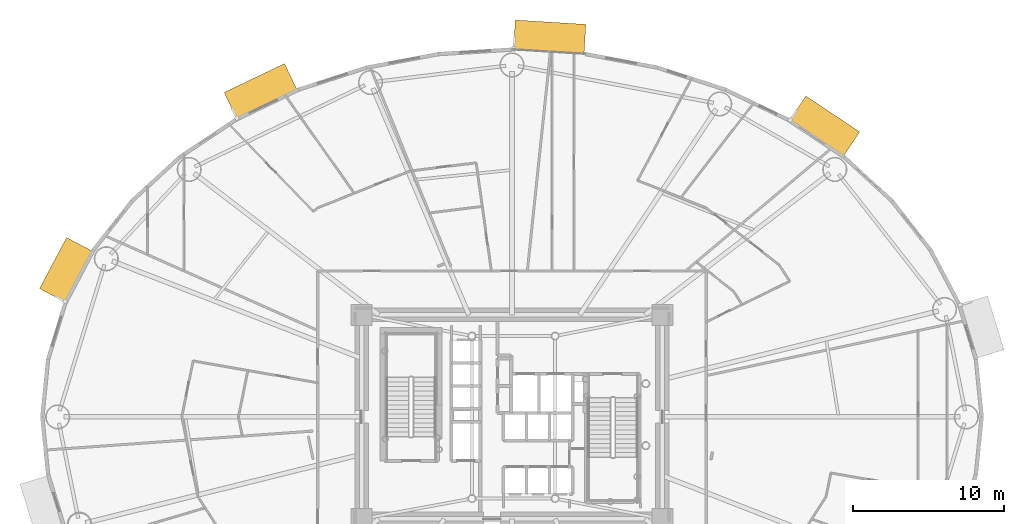
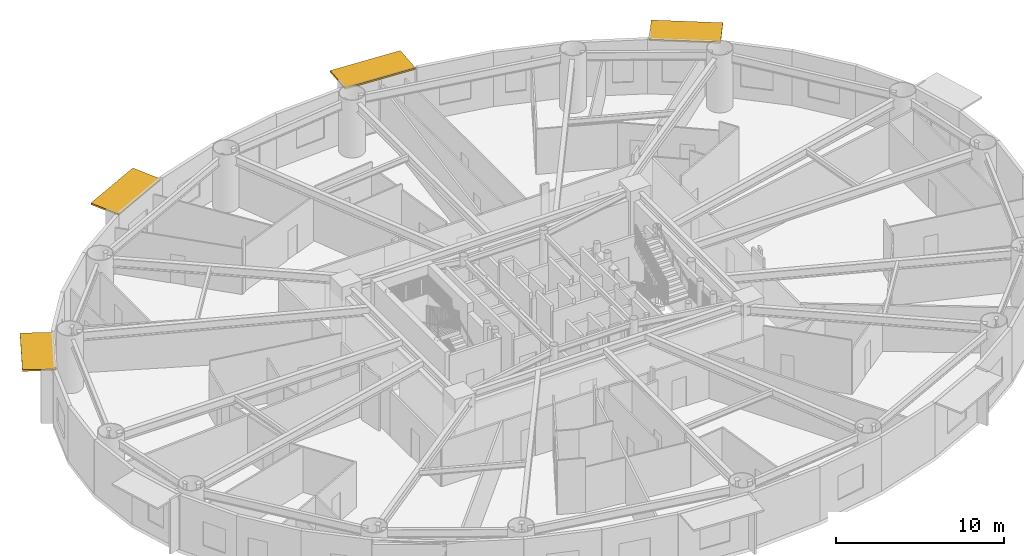
# One storey, part 21 of 21: 4 shading devices.
"""IFC4 building model written with IfcOpenShell, lengths in metres."""

from ifc_helpers import new_model, si_unit, direction, frame, origin, origin_2d, place, context, subcontext, project, spatial, rectangle, extrude, source, transform, mapped, material, layer, layer_set, type_object, element, save


model = new_model("IFC4")

# Units and contexts
model_context = context("Model", 3, precision=1e-05, world=origin(), true_north=direction((0.0, 1.0)))
body_context = subcontext(model_context, "Body", "Model", "MODEL_VIEW")
ifc_project = project(units=[si_unit("LENGTHUNIT", "METRE"), si_unit("AREAUNIT", "SQUARE_METRE"), si_unit("VOLUMEUNIT", "CUBIC_METRE"), si_unit("PLANEANGLEUNIT", "RADIAN"), si_unit("MASSUNIT", "GRAM", prefix="KILO")], contexts=[model_context])

# Site, building, storey
site_placement = place(None, origin())
site = spatial("IfcSite", under=ifc_project, at=site_placement, CompositionType="ELEMENT")
building_placement = place(site_placement, origin())
building = spatial("IfcBuilding", under=site, at=building_placement, Name="Linh Dai School and Residence Tower", CompositionType="ELEMENT")
storey_placement = place(building_placement, frame((0.0, 0.0, 61.800048828125)))
storey = spatial("IfcBuildingStorey", under=building, at=storey_placement, Name="L14", CompositionType="ELEMENT", Elevation=61.800048828125)

# Shading devices
ifc_material = material(Name="Terracotta Ceramic Sunshade", Category="masonry")
ifc_layer = layer(ifc_material, 0.1201171875)
ifc_layer_set = layer_set([ifc_layer], Name="Terracotta Ceramic Sunshade")
shading_device_type = type_object("IfcShadingDeviceType", Name="SHD-TC-2000", PredefinedType="USERDEFINED", material=ifc_layer_set)
shared_shape_1 = source(origin(), body_context, "Body", "SweptSolid", [
    extrude(rectangle(XDim=4.28173828125, YDim=2.0, at=origin_2d()), origin(), (0.0, 0.0, 1.0), 0.1201171875),
])
shading_device_1_placement = place(storey_placement, frame((56.66455078125, 46.2138671875, 3.809814453125), z_axis=(0.0, 0.0, 1.0), x_axis=(0.831250578927, -0.555897899828, 0.0)))
element("IfcShadingDevice", 1, at=shading_device_1_placement, inside=storey, type_object=shading_device_type, Name="L14 Terracotta Horizontal Sunshade Band 06", ObjectType="SUNSHADE", PredefinedType="USERDEFINED", context=body_context, shape_type="MappedRepresentation", body=[
    mapped(shared_shape_1, transform((0.0, 0.0, 0.0), x_axis=(1.0, 0.0, 0.0), y_axis=(0.0, 1.0, 0.0), z_axis=(0.0, 0.0, 1.0), scale=1.0)),
])
shared_shape_2 = source(origin(), body_context, "Body", "SweptSolid", [
    extrude(rectangle(XDim=4.6796875, YDim=2.0, at=origin_2d()), origin(), (0.0, 0.0, 1.0), 0.1201171875),
])
shading_device_2_placement = place(storey_placement, frame((38.49169921875, 52.11328125, 3.809814453125), z_axis=(0.0, 0.0, 1.0), x_axis=(0.998106677027, -0.061506595367, 0.0)))
element("IfcShadingDevice", 2, at=shading_device_2_placement, inside=storey, type_object=shading_device_type, Name="L14 Terracotta Horizontal Sunshade Band 10", ObjectType="SUNSHADE", PredefinedType="USERDEFINED", context=body_context, shape_type="MappedRepresentation", body=[
    mapped(shared_shape_2, transform((0.0, 0.0, 0.0), x_axis=(1.0, 0.0, 0.0), y_axis=(0.0, 1.0, 0.0), z_axis=(0.0, 0.0, 1.0), scale=1.0)),
])
shared_shape_3 = source(origin(), body_context, "Body", "SweptSolid", [
    extrude(rectangle(XDim=4.428466796875, YDim=2.0, at=origin_2d()), origin(), (0.0, 0.0, 1.0), 0.1201171875),
])
shading_device_3_placement = place(storey_placement, frame((19.386962890625, 48.51904296875, 3.809814453125), z_axis=(0.0, 0.0, 1.0), x_axis=(0.901584514626, 0.432603008528, 0.0)))
element("IfcShadingDevice", 3, at=shading_device_3_placement, inside=storey, type_object=shading_device_type, Name="L14 Terracotta Horizontal Sunshade Band 14", ObjectType="SUNSHADE", PredefinedType="USERDEFINED", context=body_context, shape_type="MappedRepresentation", body=[
    mapped(shared_shape_3, transform((0.0, 0.0, 0.0), x_axis=(1.0, 0.0, 0.0), y_axis=(0.0, 1.0, 0.0), z_axis=(0.0, 0.0, 1.0), scale=1.0)),
])
shared_shape_4 = source(origin(), body_context, "Body", "SweptSolid", [
    extrude(rectangle(XDim=3.824462890625, YDim=2.0, at=origin_2d()), origin(), (0.0, 0.0, 1.0), 0.1201171875),
])
shading_device_4_placement = place(storey_placement, frame((6.525390625, 36.7109375, 3.809814453125), z_axis=(0.0, 0.0, 1.0), x_axis=(0.467611940042, 0.883933862645, 0.0)))
element("IfcShadingDevice", 4, at=shading_device_4_placement, inside=storey, type_object=shading_device_type, Name="L14 Terracotta Horizontal Sunshade Band 18", ObjectType="SUNSHADE", PredefinedType="USERDEFINED", context=body_context, shape_type="MappedRepresentation", body=[
    mapped(shared_shape_4, transform((0.0, 0.0, 0.0), x_axis=(1.0, 0.0, 0.0), y_axis=(0.0, 1.0, 0.0), z_axis=(0.0, 0.0, 1.0), scale=1.0)),
])

save(model, "model.ifc")
